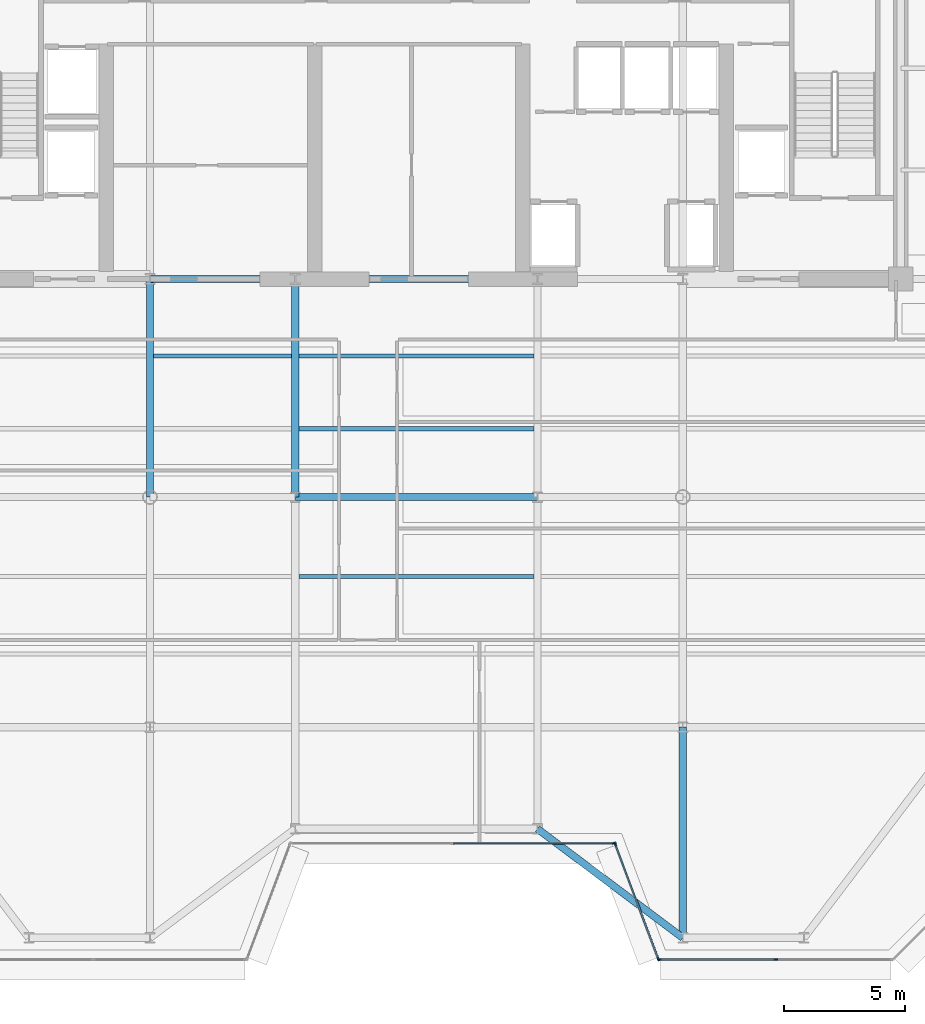
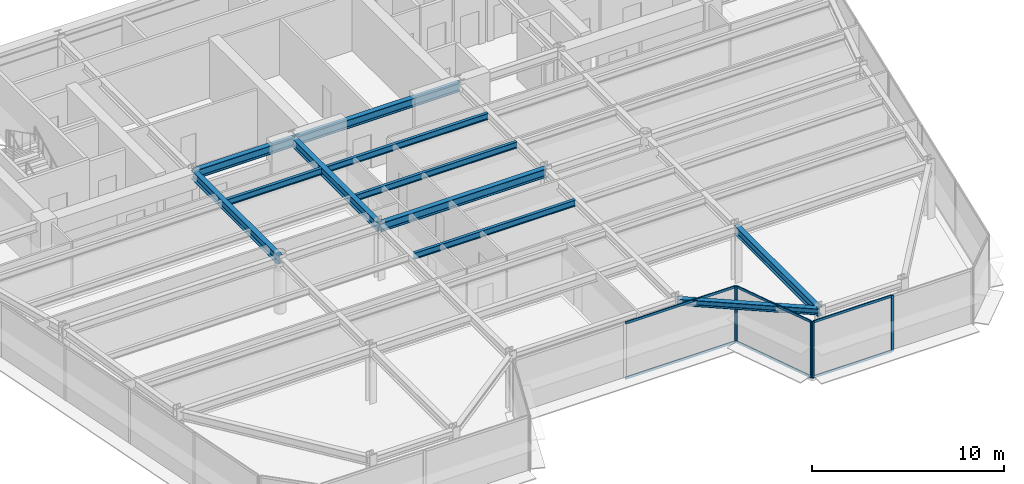
# One storey, part 5 of 16: 11 beams, 11 members, 3 elements without a shape of their own.
"""IFC4 building model written with IfcOpenShell, lengths in metres."""

from ifc_helpers import new_model, si_unit, direction, frame, origin, origin_2d, place, context, subcontext, project, spatial, rectangle, i_section, extrude, source, transform, mapped, material, layer, layer_set, material_profile, profile_set, type_object, element, aggregate, save


model = new_model("IFC4")

# Units and contexts
model_context = context("Model", 3, precision=1e-05, world=origin(), true_north=direction((0.0, 1.0)))
body_context = subcontext(model_context, "Body", "Model", "MODEL_VIEW")
ifc_project = project(units=[si_unit("LENGTHUNIT", "METRE"), si_unit("AREAUNIT", "SQUARE_METRE"), si_unit("VOLUMEUNIT", "CUBIC_METRE"), si_unit("PLANEANGLEUNIT", "RADIAN"), si_unit("MASSUNIT", "GRAM", prefix="KILO")], contexts=[model_context])

# Site, building, storey
site_placement = place(None, origin())
site = spatial("IfcSite", under=ifc_project, at=site_placement, CompositionType="ELEMENT")
building_placement = place(site_placement, origin())
building = spatial("IfcBuilding", under=site, at=building_placement, Name="Vaeldorn Concourse Tower", CompositionType="ELEMENT")
storey_placement = place(building_placement, frame((0.0, 0.0, 227.0)))
storey = spatial("IfcBuildingStorey", under=building, at=storey_placement, Name="L58", CompositionType="ELEMENT", Elevation=227.0)

# Beams
ifc_material_1 = material(Name="Steel S355", Category="steel")
ifc_material_profile_1 = material_profile(ifc_material_1, i_section(OverallWidth=0.300048828125, OverallDepth=0.39990234375, WebThickness=0.013427734375, FlangeThickness=0.02392578125, FilletRadius=0.027099609375, at=origin_2d()), Name="HEB 400")
ifc_profile_set_1 = profile_set([ifc_material_profile_1], Name="Steel S355")
beam_type_1 = type_object("IfcBeamType", Name="BM-SP-HEB400", PredefinedType="SPANDREL", material=ifc_profile_set_1)
shared_shape_1 = source(origin(), body_context, "Body", "SweptSolid", [
    extrude(i_section(OverallWidth=0.300048828125, OverallDepth=0.39990234375, WebThickness=0.013427734375, FlangeThickness=0.02392578125, FilletRadius=0.027099609375, at=origin_2d()), origin(), (0.0, 0.0, 1.0), 7.5),
])
beam_1_placement = place(storey_placement, frame((39.0, 13.800048828125, 3.3798828125), z_axis=(0.8, -0.6, 0.0), x_axis=(0.6, 0.8, 0.0)))
element("IfcBeam", 1, at=beam_1_placement, inside=storey, type_object=beam_type_1, Name="Beam BM-L58-C-SF4-C-SF5", PredefinedType="SPANDREL", context=body_context, shape_type="MappedRepresentation", body=[
    mapped(shared_shape_1, transform((0.0, 0.0, 0.0), scale=1.0)),
])
ifc_material_profile_2 = material_profile(ifc_material_1, i_section(OverallWidth=0.179931640625, OverallDepth=0.39990234375, WebThickness=0.008544921875, FlangeThickness=0.013427734375, FilletRadius=0.02099609375, at=origin_2d()), Name="IPE 400")
ifc_profile_set_2 = profile_set([ifc_material_profile_2], Name="Steel S355")
beam_type_2 = type_object("IfcBeamType", Name="BM-JS-IPE400", PredefinedType="JOIST", material=ifc_profile_set_2)
shared_shape_2 = source(origin(), body_context, "Body", "SweptSolid", [
    extrude(i_section(OverallWidth=0.179931640625, OverallDepth=0.39990234375, WebThickness=0.008544921875, FlangeThickness=0.013427734375, FilletRadius=0.02099609375, at=origin_2d()), origin(), (0.0, 0.0, 1.0), 5.7001953125),
])
beam_2_placement = place(storey_placement, frame((23.14990234375, 33.320068359375, 3.3798828125), z_axis=(1.0, 0.0, 0.0), x_axis=(0.0, 1.0, 0.0)))
element("IfcBeam", 2, at=beam_2_placement, inside=storey, type_object=beam_type_2, Name="Beam JS-L58-W2-333", PredefinedType="JOIST", context=body_context, shape_type="MappedRepresentation", body=[
    mapped(shared_shape_2, transform((0.0, 0.0, 0.0), scale=1.0)),
])
shared_shape_3 = source(origin(), body_context, "Body", "SweptSolid", [
    extrude(i_section(OverallWidth=0.179931640625, OverallDepth=0.39990234375, WebThickness=0.008544921875, FlangeThickness=0.013427734375, FilletRadius=0.02099609375, at=origin_2d()), origin(), (0.0, 0.0, 1.0), 9.7001953125),
])
for number, where, z_axis, x_axis, name in (
    (3, (29.14990234375, 24.219970703125, 3.3798828125), (1.0, 0.0, 0.0), (0.0, 1.0, 0.0), "Beam JS-L58-C-242"),
    (4, (29.14990234375, 30.320068359375, 3.3798828125), (1.0, 0.0, 0.0), (0.0, 1.0, 0.0), "Beam JS-L58-C-303"),
    (5, (29.14990234375, 33.320068359375, 3.3798828125), (1.0, 0.0, 0.0), (0.0, 1.0, 0.0), "Beam JS-L58-C-333"),
):
    element("IfcBeam", number, at=place(storey_placement, frame(where, z_axis=z_axis, x_axis=x_axis)), inside=storey, type_object=beam_type_2, Name=name, PredefinedType="JOIST", context=body_context, shape_type="MappedRepresentation", body=[
        mapped(shared_shape_3, transform((0.0, 0.0, 0.0), scale=1.0)),
    ])
ifc_material_profile_3 = material_profile(ifc_material_1, i_section(OverallWidth=0.300048828125, OverallDepth=0.550048828125, WebThickness=0.014892578125, FlangeThickness=0.029052734375, FilletRadius=0.027099609375, at=origin_2d()), Name="HEB 550")
ifc_profile_set_3 = profile_set([ifc_material_profile_3], Name="Steel S355")
beam_type_3 = type_object("IfcBeamType", Name="BM-PG-HEB550", PredefinedType="BEAM", material=ifc_profile_set_3)
shared_shape_4 = source(origin(), body_context, "Body", "SweptSolid", [
    extrude(i_section(OverallWidth=0.300048828125, OverallDepth=0.550048828125, WebThickness=0.014892578125, FlangeThickness=0.029052734375, FilletRadius=0.027099609375, at=origin_2d()), origin(), (0.0, 0.0, 1.0), 6.0),
])
beam_3_placement = place(storey_placement, frame((23.0, 36.5, 3.304931640625), z_axis=(1.0, 0.0, 0.0), x_axis=(0.0, 1.0, 0.0)))
element("IfcBeam", 6, at=beam_3_placement, inside=storey, type_object=beam_type_3, Name="Beam BM-L58-C-FC2-C-FC3", PredefinedType="BEAM", context=body_context, shape_type="MappedRepresentation", body=[
    mapped(shared_shape_4, transform((0.0, 0.0, 0.0), scale=1.0)),
])
shared_shape_5 = source(origin(), body_context, "Body", "SweptSolid", [
    extrude(i_section(OverallWidth=0.300048828125, OverallDepth=0.550048828125, WebThickness=0.014892578125, FlangeThickness=0.029052734375, FilletRadius=0.027099609375, at=origin_2d()), origin(), (0.0, 0.0, 1.0), 10.0),
])
for number, where, z_axis, x_axis, name in (
    (7, (29.0, 36.5, 3.304931640625), (1.0, 0.0, 0.0), (0.0, 1.0, 0.0), "Beam BM-L58-C-FC3-C-FC4"),
    (8, (29.0, 27.5, 3.304931640625), (1.0, 0.0, 0.0), (0.0, 1.0, 0.0), "Beam BM-L58-C-TW2-C-TW3"),
):
    element("IfcBeam", number, at=place(storey_placement, frame(where, z_axis=z_axis, x_axis=x_axis)), inside=storey, type_object=beam_type_3, Name=name, PredefinedType="BEAM", context=body_context, shape_type="MappedRepresentation", body=[
        mapped(shared_shape_5, transform((0.0, 0.0, 0.0), scale=1.0)),
    ])
shared_shape_6 = source(origin(), body_context, "Body", "SweptSolid", [
    extrude(i_section(OverallWidth=0.300048828125, OverallDepth=0.550048828125, WebThickness=0.014892578125, FlangeThickness=0.029052734375, FilletRadius=0.027099609375, at=origin_2d()), origin(), (0.0, 0.0, 1.0), 9.0),
])
for number, where, z_axis, x_axis, name in (
    (9, (23.0, 27.5, 3.304931640625), (0.0, 1.0, 0.0), (-1.0, 0.0, 0.0), "Beam BM-L58-C-TW1-C-FC2"),
    (10, (29.0, 27.5, 3.304931640625), (0.0, 1.0, 0.0), (-1.0, 0.0, 0.0), "Beam BM-L58-C-TW2-C-FC3"),
):
    element("IfcBeam", number, at=place(storey_placement, frame(where, z_axis=z_axis, x_axis=x_axis)), inside=storey, type_object=beam_type_3, Name=name, PredefinedType="BEAM", context=body_context, shape_type="MappedRepresentation", body=[
        mapped(shared_shape_6, transform((0.0, 0.0, 0.0), scale=1.0)),
    ])
shared_shape_7 = source(origin(), body_context, "Body", "SweptSolid", [
    extrude(i_section(OverallWidth=0.300048828125, OverallDepth=0.550048828125, WebThickness=0.014892578125, FlangeThickness=0.029052734375, FilletRadius=0.027099609375, at=origin_2d()), origin(), (0.0, 0.0, 1.0), 8.699951171875),
])
beam_4_placement = place(storey_placement, frame((45.0, 9.300048828125, 3.304931640625), z_axis=(0.0, 1.0, 0.0), x_axis=(-1.0, 0.0, 0.0)))
element("IfcBeam", 11, at=beam_4_placement, inside=storey, type_object=beam_type_3, Name="Beam BM-L58-C-SF5-C-TW6", PredefinedType="BEAM", context=body_context, shape_type="MappedRepresentation", body=[
    mapped(shared_shape_7, transform((0.0, 0.0, 0.0), scale=1.0)),
])

# Curtain wall, members
ifc_material_2 = material(Name="Anodised Bronze Aluminium", Category="aluminium")
ifc_layer = layer(ifc_material_2, 0.179931640625)
ifc_layer_set = layer_set([ifc_layer], Name="Anodised Bronze Aluminium")
curtain_wall_type = type_object("IfcCurtainWallType", Name="CW-SYS-05", PredefinedType="NOTDEFINED", material=ifc_layer_set)
curtain_wall_1_placement = place(storey_placement, origin())
curtain_wall_1 = element("IfcCurtainWall", 12, at=curtain_wall_1_placement, inside=storey, type_object=curtain_wall_type, Name="Unitised Curtain Wall CW-L58-E04-1", PredefinedType="NOTDEFINED")
ifc_material_profile_4 = material_profile(ifc_material_2, rectangle(XDim=0.06494140625, YDim=0.14990234375, at=origin_2d()), Name="CWT 65x150")
ifc_profile_set_4 = profile_set([ifc_material_profile_4], Name="Anodised Bronze Aluminium")
member_type_1 = type_object("IfcMemberType", Name="CWT-BRONZE-150", PredefinedType="USERDEFINED", material=ifc_profile_set_4)
shared_shape_8 = source(origin(), body_context, "Body", "SweptSolid", [
    extrude(rectangle(XDim=0.06494140625, YDim=0.14990234375, at=origin_2d()), origin(), (0.0, 0.0, 1.0), 4.996337890625),
])
member_1_placement = place(storey_placement, frame((42.222900390625, 13.13916015625, 0.032470703125), z_axis=(0.351134151405, -0.936325161318, 0.0), x_axis=(0.936325161318, 0.351134151405, 0.0)))
member_1 = element("IfcMember", 13, at=member_1_placement, type_object=member_type_1, Name="CW-05 transom 1.1", ObjectType="TRANSOM", PredefinedType="USERDEFINED", context=body_context, shape_type="MappedRepresentation", body=[
    mapped(shared_shape_8, transform((0.0, 0.0, 0.0), scale=1.0)),
])
member_2_placement = place(storey_placement, frame((42.222900390625, 13.13916015625, 3.547607421875), z_axis=(0.351134151405, -0.936325161318, 0.0), x_axis=(0.936325161318, 0.351134151405, 0.0)))
member_2 = element("IfcMember", 14, at=member_2_placement, type_object=member_type_1, Name="CW-05 transom 1.2", ObjectType="TRANSOM", PredefinedType="USERDEFINED", context=body_context, shape_type="MappedRepresentation", body=[
    mapped(shared_shape_8, transform((0.0, 0.0, 0.0), scale=1.0)),
])

curtain_wall_2_placement = place(storey_placement, origin())
curtain_wall_2 = element("IfcCurtainWall", 15, at=curtain_wall_2_placement, inside=storey, type_object=curtain_wall_type, Name="Unitised Curtain Wall CW-L58-E03-1", PredefinedType="NOTDEFINED")
shared_shape_9 = source(origin(), body_context, "Body", "SweptSolid", [
    extrude(rectangle(XDim=0.06494140625, YDim=0.14990234375, at=origin_2d()), origin(), (0.0, 0.0, 1.0), 6.6025390625),
])
member_3_placement = place(storey_placement, frame((35.532470703125, 13.199951171875, 0.032470703125), z_axis=(1.0, 0.0, 0.0), x_axis=(0.0, 1.0, 0.0)))
member_3 = element("IfcMember", 16, at=member_3_placement, type_object=member_type_1, Name="CW-05 transom 2.1", ObjectType="TRANSOM", PredefinedType="USERDEFINED", context=body_context, shape_type="MappedRepresentation", body=[
    mapped(shared_shape_9, transform((0.0, 0.0, 0.0), scale=1.0)),
])
member_4_placement = place(storey_placement, frame((35.532470703125, 13.199951171875, 3.547607421875), z_axis=(1.0, 0.0, 0.0), x_axis=(0.0, 1.0, 0.0)))
member_4 = element("IfcMember", 17, at=member_4_placement, type_object=member_type_1, Name="CW-05 transom 2.2", ObjectType="TRANSOM", PredefinedType="USERDEFINED", context=body_context, shape_type="MappedRepresentation", body=[
    mapped(shared_shape_9, transform((0.0, 0.0, 0.0), scale=1.0)),
])
ifc_material_profile_5 = material_profile(ifc_material_2, rectangle(XDim=0.06494140625, YDim=0.169921875, at=origin_2d()), Name="CWM 65x170")
ifc_profile_set_5 = profile_set([ifc_material_profile_5], Name="Anodised Bronze Aluminium")
member_type_2 = type_object("IfcMemberType", Name="CWM-BRONZE-170", PredefinedType="MULLION", material=ifc_profile_set_5)
shared_shape_10 = source(origin(), body_context, "Body", "SweptSolid", [
    extrude(rectangle(XDim=0.06494140625, YDim=0.169921875, at=origin_2d()), origin(), (0.0, 0.0, 1.0), 3.580078125),
])
member_5_placement = place(storey_placement, frame((42.16748046875, 13.199951171875, 0.0), z_axis=(0.0, 0.0, 1.0), x_axis=(0.0, 1.0, 0.0)))
member_5 = element("IfcMember", 18, at=member_5_placement, type_object=member_type_2, Name="CW-05 mullion 3", PredefinedType="MULLION", context=body_context, shape_type="MappedRepresentation", body=[
    mapped(shared_shape_10, transform((0.0, 0.0, 0.0), scale=1.0)),
])
aggregate(curtain_wall_2, [member_5, member_3, member_4])

# Member
member_6_placement = place(storey_placement, frame((42.21142578125, 13.169677734375, 0.0), z_axis=(0.0, 0.0, 1.0), x_axis=(0.936329177566, 0.351123441595, 0.0)))
member_6 = element("IfcMember", 19, at=member_6_placement, type_object=member_type_2, Name="CW-05 mullion 1", PredefinedType="MULLION", context=body_context, shape_type="MappedRepresentation", body=[
    mapped(shared_shape_10, transform((0.0, 0.0, 0.0), scale=1.0)),
])

member_7_placement = place(storey_placement, frame((43.988525390625, 8.430419921875, 0.0), z_axis=(0.0, 0.0, 1.0), x_axis=(0.936329177566, 0.351123441595, 0.0)))
member_7 = element("IfcMember", 20, at=member_7_placement, type_object=member_type_2, Name="CW-05 mullion 2", PredefinedType="MULLION", context=body_context, shape_type="MappedRepresentation", body=[
    mapped(shared_shape_10, transform((0.0, 0.0, 0.0), scale=1.0)),
])

aggregate(curtain_wall_1, [member_6, member_7, member_1, member_2])

# Curtain wall, members
curtain_wall_3_placement = place(storey_placement, origin())
curtain_wall_3 = element("IfcCurtainWall", 21, at=curtain_wall_3_placement, inside=storey, type_object=curtain_wall_type, Name="Unitised Curtain Wall CW-L58-E05-1", PredefinedType="NOTDEFINED")
member_8_placement = place(storey_placement, frame((44.032470703125, 8.39990234375, 0.0), z_axis=(0.0, 0.0, 1.0), x_axis=(0.0, 1.0, 0.0)))
member_8 = element("IfcMember", 22, at=member_8_placement, type_object=member_type_2, Name="CW-05 mullion 1", PredefinedType="MULLION", context=body_context, shape_type="MappedRepresentation", body=[
    mapped(shared_shape_10, transform((0.0, 0.0, 0.0), scale=1.0)),
])
member_9_placement = place(storey_placement, frame((48.83544921875, 8.39990234375, 0.0), z_axis=(0.0, 0.0, 1.0), x_axis=(0.0, 1.0, 0.0)))
member_9 = element("IfcMember", 23, at=member_9_placement, type_object=member_type_2, Name="CW-05 mullion 2", PredefinedType="MULLION", context=body_context, shape_type="MappedRepresentation", body=[
    mapped(shared_shape_10, transform((0.0, 0.0, 0.0), scale=1.0)),
])
shared_shape_11 = source(origin(), body_context, "Body", "SweptSolid", [
    extrude(rectangle(XDim=0.06494140625, YDim=0.14990234375, at=origin_2d()), origin(), (0.0, 0.0, 1.0), 4.738037109375),
])
member_10_placement = place(storey_placement, frame((44.06494140625, 8.39990234375, 0.032470703125), z_axis=(1.0, 0.0, 0.0), x_axis=(0.0, 1.0, 0.0)))
member_10 = element("IfcMember", 24, at=member_10_placement, type_object=member_type_1, Name="CW-05 transom 1.1", ObjectType="TRANSOM", PredefinedType="USERDEFINED", context=body_context, shape_type="MappedRepresentation", body=[
    mapped(shared_shape_11, transform((0.0, 0.0, 0.0), scale=1.0)),
])
member_11_placement = place(storey_placement, frame((44.06494140625, 8.39990234375, 3.547607421875), z_axis=(1.0, 0.0, 0.0), x_axis=(0.0, 1.0, 0.0)))
member_11 = element("IfcMember", 25, at=member_11_placement, type_object=member_type_1, Name="CW-05 transom 1.2", ObjectType="TRANSOM", PredefinedType="USERDEFINED", context=body_context, shape_type="MappedRepresentation", body=[
    mapped(shared_shape_11, transform((0.0, 0.0, 0.0), scale=1.0)),
])
aggregate(curtain_wall_3, [member_8, member_9, member_10, member_11])

save(model, "model.ifc")
